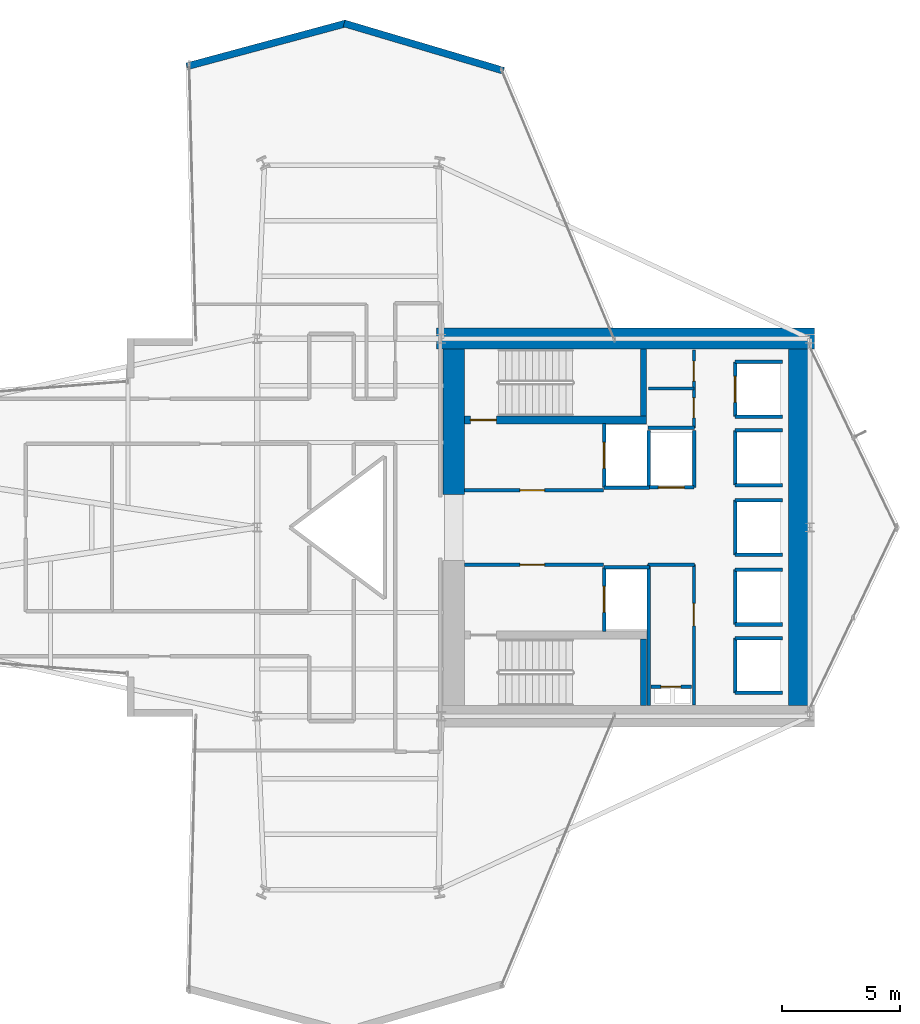
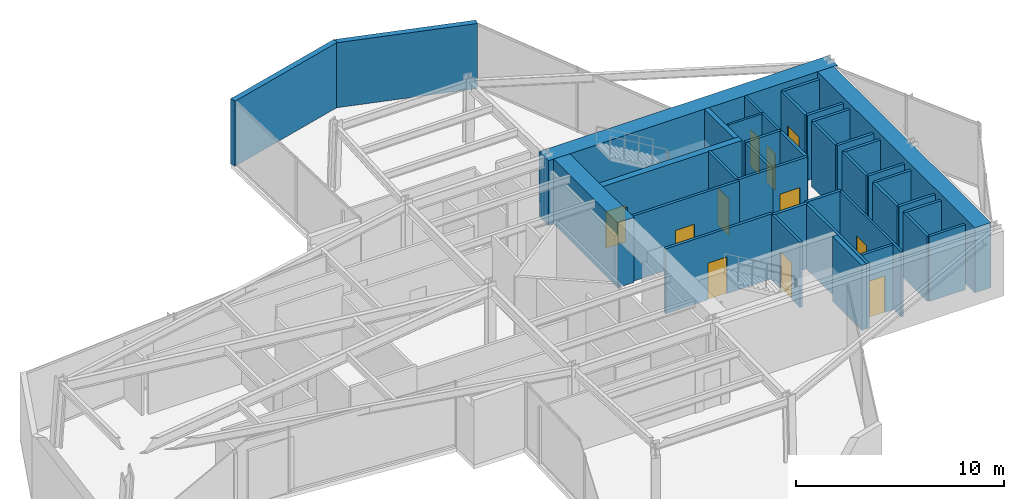
# One storey, part 23 of 25: 39 walls, 11 doors, 11 openings.
"""IFC4 building model written with IfcOpenShell, lengths in metres."""

from ifc_helpers import new_model, si_unit, direction, frame, frame_2d, origin, place, context, subcontext, project, spatial, rectangle, extrude, material, layer, layer_set, type_object, element, fill, save


model = new_model("IFC4")

# Units and contexts
model_context = context("Model", 3, precision=1e-05, world=origin(), true_north=direction((0.0, 1.0)))
body_context = subcontext(model_context, "Body", "Model", "MODEL_VIEW")
ifc_project = project(units=[si_unit("LENGTHUNIT", "METRE"), si_unit("AREAUNIT", "SQUARE_METRE"), si_unit("VOLUMEUNIT", "CUBIC_METRE"), si_unit("PLANEANGLEUNIT", "RADIAN"), si_unit("MASSUNIT", "GRAM", prefix="KILO")], contexts=[model_context])

# Site, building, storey
site_placement = place(None, origin())
site = spatial("IfcSite", under=ifc_project, at=site_placement, CompositionType="ELEMENT")
building_placement = place(site_placement, origin())
building = spatial("IfcBuilding", under=site, at=building_placement, Name="Veymaron Broadcast Tower", CompositionType="ELEMENT")
storey_placement = place(building_placement, frame((0.0, 0.0, 82.35009765625)))
storey = spatial("IfcBuildingStorey", under=building, at=storey_placement, Name="L18", CompositionType="ELEMENT", Elevation=82.35009765625)

# Walls
ifc_material_1 = material(Name="Precast concrete C40/50 with mineral-wool insulation", Category="concrete")
ifc_layer_1 = layer(ifc_material_1, 0.300048828125)
ifc_layer_set_1 = layer_set([ifc_layer_1], Name="Precast concrete C40/50 with mineral-wool insulation")
wall_type_1 = type_object("IfcWallType", Name="WALL-EXT-300", PredefinedType="STANDARD", material=ifc_layer_set_1)
wall_1_placement = place(storey_placement, frame((41.628173828125, 43.349853515625, 0.0), z_axis=(0.0, 0.0, 1.0), x_axis=(-0.958632659024, 0.284646140064, 0.0)))
element("IfcWall", 1, at=wall_1_placement, inside=storey, type_object=wall_type_1, Name="L18 notched corner facade pier 6-1", PredefinedType="STANDARD", context=body_context, shape_type="SweptSolid", body=[
    extrude(rectangle(XDim=7.033203125, YDim=0.300048828125, at=frame_2d((3.5166015625, 0.0))), origin(), (0.0, 0.0, 1.0), 3.809814453125),
])
wall_2_placement = place(storey_placement, frame((34.96240234375, 45.350830078125, 0.0), z_axis=(0.0, 0.0, 1.0), x_axis=(-0.965438319853, -0.260631637679, 0.0)))
element("IfcWall", 2, at=wall_2_placement, inside=storey, type_object=wall_type_1, Name="L18 notched corner facade pier 7-1", PredefinedType="STANDARD", context=body_context, shape_type="SweptSolid", body=[
    extrude(rectangle(XDim=6.9833984375, YDim=0.300048828125, at=frame_2d((3.49169921875, 0.0))), origin(), (0.0, 0.0, 1.0), 3.809814453125),
])

# Wall, opening, door
ifc_material_2 = material(Name="Gypsum fireboard and steel stud framing", Category="steel")
ifc_layer_2 = layer(ifc_material_2, 0.14990234375)
ifc_layer_set_2 = layer_set([ifc_layer_2], Name="Gypsum fireboard and steel stud framing")
wall_type_2 = type_object("IfcWallType", Name="WALL-FIRE-150", PredefinedType="PARTITIONING", material=ifc_layer_set_2)
wall_3_placement = place(storey_placement, frame((39.97998046875, 25.574951171875, 0.0), z_axis=(0.0, 0.0, 1.0), x_axis=(1.0, 0.0, 0.0)))
wall_3 = element("IfcWall", 3, at=wall_3_placement, inside=storey, type_object=wall_type_2, Name="L18 partition IW-L18-FFLN-S", PredefinedType="PARTITIONING", context=body_context, shape_type="SweptSolid", body=[
    extrude(rectangle(XDim=5.89990234375, YDim=0.14990234375, at=frame_2d((2.949951171875, 0.0))), origin(), (0.0, 0.0, 1.0), 3.809814453125),
])
opening_1_placement = place(wall_3_placement, frame((2.35009765625, 0.0, 0.0)))
opening_1 = element("IfcOpeningElement", 4, at=opening_1_placement, cuts=wall_3, Name="Opening ID-FL1", PredefinedType="OPENING", context=body_context, shape_type="SweptSolid", body=[
    extrude(rectangle(XDim=1.050048828125, YDim=2.14990234375, at=frame_2d((0.52490234375, 1.074951171875))), frame((0.0, 0.0849609375, 0.0), z_axis=(0.0, -1.0, 0.0), x_axis=(1.0, 0.0, 0.0)), (0.0, 0.0, 1.0), 0.169921875),
])
ifc_material_3 = material(Name="Fire-rated painted hollow steel ASTM A653", Category="steel")
door_type_1 = type_object("IfcDoorType", Name="DOOR-FIRE-1050", OperationType="NOTDEFINED", PredefinedType="DOOR", material=ifc_material_3)
door_1_placement = place(opening_1_placement, origin())
door_1 = element("IfcDoor", 5, at=door_1_placement, inside=storey, type_object=door_type_1, Name="L18 door DR-L18-FFLN", OperationType="SINGLE_SWING_LEFT", OverallHeight=2.14990234375, OverallWidth=1.050048828125, PredefinedType="DOOR", context=body_context, shape_type="SweptSolid", body=[
    extrude(rectangle(XDim=1.050048828125, YDim=2.14990234375, at=frame_2d((0.52490234375, 1.074951171875))), frame((0.0, 0.02490234375, 0.0), z_axis=(0.0, -1.0, 0.0), x_axis=(1.0, 0.0, 0.0)), (0.0, 0.0, 1.0), 0.050048828125),
])
fill(opening_1, door_1)

wall_4_placement = place(storey_placement, frame((39.97998046875, 22.425048828125, 0.0), z_axis=(0.0, 0.0, 1.0), x_axis=(1.0, 0.0, 0.0)))
wall_4 = element("IfcWall", 6, at=wall_4_placement, inside=storey, type_object=wall_type_2, Name="L18 partition IW-L18-FFLS-N", PredefinedType="PARTITIONING", context=body_context, shape_type="SweptSolid", body=[
    extrude(rectangle(XDim=5.89990234375, YDim=0.14990234375, at=frame_2d((2.949951171875, 0.0))), origin(), (0.0, 0.0, 1.0), 3.809814453125),
])
opening_2_placement = place(wall_4_placement, frame((2.35009765625, 0.0, 0.0)))
opening_2 = element("IfcOpeningElement", 7, at=opening_2_placement, cuts=wall_4, Name="Opening ID-FL1", PredefinedType="OPENING", context=body_context, shape_type="SweptSolid", body=[
    extrude(rectangle(XDim=1.050048828125, YDim=2.14990234375, at=frame_2d((0.52490234375, 1.074951171875))), frame((0.0, 0.0849609375, 0.0), z_axis=(0.0, -1.0, 0.0), x_axis=(1.0, 0.0, 0.0)), (0.0, 0.0, 1.0), 0.169921875),
])
door_2_placement = place(opening_2_placement, frame((1.050048828125, 0.0, 0.0), z_axis=(0.0, 0.0, 1.0), x_axis=(-1.0, 0.0, 0.0)))
door_2 = element("IfcDoor", 8, at=door_2_placement, inside=storey, type_object=door_type_1, Name="L18 door DR-L18-FFLS", OperationType="SINGLE_SWING_RIGHT", OverallHeight=2.14990234375, OverallWidth=1.050048828125, PredefinedType="DOOR", context=body_context, shape_type="SweptSolid", body=[
    extrude(rectangle(XDim=1.050048828125, YDim=2.14990234375, at=frame_2d((0.52490234375, 1.074951171875))), frame((0.0, 0.02490234375, 0.0), z_axis=(0.0, -1.0, 0.0), x_axis=(1.0, 0.0, 0.0)), (0.0, 0.0, 1.0), 0.050048828125),
])
fill(opening_2, door_2)

wall_5_placement = place(storey_placement, frame((45.89501953125, 25.68994140625, 0.0), z_axis=(0.0, 0.0, 1.0), x_axis=(0.0, 1.0, 0.0)))
wall_5 = element("IfcWall", 9, at=wall_5_placement, inside=storey, type_object=wall_type_2, Name="L18 partition IW-L18-SHW-FFL-1", PredefinedType="PARTITIONING", context=body_context, shape_type="SweptSolid", body=[
    extrude(rectangle(XDim=2.719970703125, YDim=0.14990234375, at=frame_2d((1.35986328125, 0.0))), origin(), (0.0, 0.0, 1.0), 3.809814453125),
])
opening_3_placement = place(wall_5_placement, frame((0.81005859375, 0.0, 0.0)))
opening_3 = element("IfcOpeningElement", 10, at=opening_3_placement, cuts=wall_5, Name="Opening LD", PredefinedType="OPENING", context=body_context, shape_type="SweptSolid", body=[
    extrude(rectangle(XDim=1.10009765625, YDim=2.14990234375, at=frame_2d((0.550048828125, 1.074951171875))), frame((0.0, 0.0849609375, 0.0), z_axis=(0.0, -1.0, 0.0), x_axis=(1.0, 0.0, 0.0)), (0.0, 0.0, 1.0), 0.169921875),
])
ifc_material_4 = material(Name="Brushed stainless steel AISI 304", Category="steel")
door_type_2 = type_object("IfcDoorType", Name="DOOR-LIFT-1100", OperationType="DOUBLE_DOOR_SLIDING", PredefinedType="DOOR", material=ifc_material_4)
door_3_placement = place(opening_3_placement, frame((1.10009765625, 0.0, 0.0), z_axis=(0.0, 0.0, 1.0), x_axis=(-1.0, 0.0, 0.0)))
door_3 = element("IfcDoor", 11, at=door_3_placement, inside=storey, type_object=door_type_2, Name="L18 door LD-L18-FFL-1", OperationType="DOUBLE_DOOR_SLIDING", OverallHeight=2.14990234375, OverallWidth=1.10009765625, PredefinedType="DOOR", context=body_context, shape_type="SweptSolid", body=[
    extrude(rectangle(XDim=1.10009765625, YDim=2.14990234375, at=frame_2d((0.550048828125, 1.074951171875))), frame((0.0, 0.02490234375, 0.0), z_axis=(0.0, -1.0, 0.0), x_axis=(1.0, 0.0, 0.0)), (0.0, 0.0, 1.0), 0.050048828125),
])
fill(opening_3, door_3)

# Wall
wall_6_placement = place(storey_placement, frame((45.89501953125, 25.68994140625, 0.0), z_axis=(0.0, 0.0, 1.0), x_axis=(1.0, 0.0, 0.0)))
element("IfcWall", 12, at=wall_6_placement, inside=storey, type_object=wall_type_2, Name="L18 partition IW-L18-SHS-FFL-1", PredefinedType="PARTITIONING", context=body_context, shape_type="SweptSolid", body=[
    extrude(rectangle(XDim=1.9150390625, YDim=0.14990234375, at=frame_2d((0.95751953125, 0.0))), origin(), (0.0, 0.0, 1.0), 3.809814453125),
])

# Wall, opening, door
wall_7_placement = place(storey_placement, frame((45.89501953125, 19.590087890625, 0.0), z_axis=(0.0, 0.0, 1.0), x_axis=(0.0, 1.0, 0.0)))
wall_7 = element("IfcWall", 13, at=wall_7_placement, inside=storey, type_object=wall_type_2, Name="L18 partition IW-L18-SHW-FFL-2", PredefinedType="PARTITIONING", context=body_context, shape_type="SweptSolid", body=[
    extrude(rectangle(XDim=2.719970703125, YDim=0.14990234375, at=frame_2d((1.35986328125, 0.0))), origin(), (0.0, 0.0, 1.0), 3.809814453125),
])
opening_4_placement = place(wall_7_placement, frame((0.81005859375, 0.0, 0.0)))
opening_4 = element("IfcOpeningElement", 14, at=opening_4_placement, cuts=wall_7, Name="Opening LD", PredefinedType="OPENING", context=body_context, shape_type="SweptSolid", body=[
    extrude(rectangle(XDim=1.10009765625, YDim=2.14990234375, at=frame_2d((0.550048828125, 1.074951171875))), frame((0.0, 0.0849609375, 0.0), z_axis=(0.0, -1.0, 0.0), x_axis=(1.0, 0.0, 0.0)), (0.0, 0.0, 1.0), 0.169921875),
])
door_4_placement = place(opening_4_placement, frame((1.10009765625, 0.0, 0.0), z_axis=(0.0, 0.0, 1.0), x_axis=(-1.0, 0.0, 0.0)))
door_4 = element("IfcDoor", 15, at=door_4_placement, inside=storey, type_object=door_type_2, Name="L18 door LD-L18-FFL-2", OperationType="DOUBLE_DOOR_SLIDING", OverallHeight=2.14990234375, OverallWidth=1.10009765625, PredefinedType="DOOR", context=body_context, shape_type="SweptSolid", body=[
    extrude(rectangle(XDim=1.10009765625, YDim=2.14990234375, at=frame_2d((0.550048828125, 1.074951171875))), frame((0.0, 0.02490234375, 0.0), z_axis=(0.0, -1.0, 0.0), x_axis=(1.0, 0.0, 0.0)), (0.0, 0.0, 1.0), 0.050048828125),
])
fill(opening_4, door_4)

# Wall
wall_8_placement = place(storey_placement, frame((45.89501953125, 22.31005859375, 0.0), z_axis=(0.0, 0.0, 1.0), x_axis=(1.0, 0.0, 0.0)))
element("IfcWall", 16, at=wall_8_placement, inside=storey, type_object=wall_type_2, Name="L18 partition IW-L18-SHN-FFL-2", PredefinedType="PARTITIONING", context=body_context, shape_type="SweptSolid", body=[
    extrude(rectangle(XDim=1.9150390625, YDim=0.14990234375, at=frame_2d((0.95751953125, 0.0))), origin(), (0.0, 0.0, 1.0), 3.809814453125),
])

# Wall, opening, door
wall_9_placement = place(storey_placement, frame((47.7900390625, 25.695068359375, 0.0), z_axis=(0.0, 0.0, 1.0), x_axis=(1.0, 0.0, 0.0)))
wall_9 = element("IfcWall", 17, at=wall_9_placement, inside=storey, type_object=wall_type_2, Name="L18 partition IW-L18-SHS-SL-1", PredefinedType="PARTITIONING", context=body_context, shape_type="SweptSolid", body=[
    extrude(rectangle(XDim=1.919921875, YDim=0.14990234375, at=frame_2d((0.9599609375, 0.0))), origin(), (0.0, 0.0, 1.0), 3.809814453125),
])
opening_5_placement = place(wall_9_placement, frame((0.409912109375, 0.0, 0.0)))
opening_5 = element("IfcOpeningElement", 18, at=opening_5_placement, cuts=wall_9, Name="Opening LD", PredefinedType="OPENING", context=body_context, shape_type="SweptSolid", body=[
    extrude(rectangle(XDim=1.10009765625, YDim=2.14990234375, at=frame_2d((0.550048828125, 1.074951171875))), frame((0.0, 0.0849609375, 0.0), z_axis=(0.0, -1.0, 0.0), x_axis=(1.0, 0.0, 0.0)), (0.0, 0.0, 1.0), 0.169921875),
])
door_5_placement = place(opening_5_placement, frame((1.10009765625, 0.0, 0.0), z_axis=(0.0, 0.0, 1.0), x_axis=(-1.0, 0.0, 0.0)))
door_5 = element("IfcDoor", 19, at=door_5_placement, inside=storey, type_object=door_type_2, Name="L18 door LD-L18-SL-1", OperationType="DOUBLE_DOOR_SLIDING", OverallHeight=2.14990234375, OverallWidth=1.10009765625, PredefinedType="DOOR", context=body_context, shape_type="SweptSolid", body=[
    extrude(rectangle(XDim=1.10009765625, YDim=2.14990234375, at=frame_2d((0.550048828125, 1.074951171875))), frame((0.0, 0.02490234375, 0.0), z_axis=(0.0, -1.0, 0.0), x_axis=(1.0, 0.0, 0.0)), (0.0, 0.0, 1.0), 0.050048828125),
])
fill(opening_5, door_5)

# Walls
for number, where, z_axis, x_axis, name in (
    (20, (47.7900390625, 25.695068359375, 0.0), (0.0, 0.0, 1.0), (0.0, 1.0, 0.0), "L18 partition IW-L18-SHW-SL-1"),
    (21, (49.7099609375, 25.695068359375, 0.0), (0.0, 0.0, 1.0), (0.0, 1.0, 0.0), "L18 partition IW-L18-SHE-SL-1"),
):
    element("IfcWall", number, at=place(storey_placement, frame(where, z_axis=z_axis, x_axis=x_axis)), inside=storey, type_object=wall_type_2, Name=name, PredefinedType="PARTITIONING", context=body_context, shape_type="SweptSolid", body=[
        extrude(rectangle(XDim=2.4150390625, YDim=0.14990234375, at=frame_2d((1.20751953125, 0.0))), origin(), (0.0, 0.0, 1.0), 3.809814453125),
    ])

# Wall, opening, door
wall_10_placement = place(storey_placement, frame((51.445068359375, 28.68994140625, 0.0), z_axis=(0.0, 0.0, 1.0), x_axis=(0.0, 1.0, 0.0)))
wall_10 = element("IfcWall", 22, at=wall_10_placement, inside=storey, type_object=wall_type_2, Name="L18 partition IW-L18-SHW-PL1", PredefinedType="PARTITIONING", context=body_context, shape_type="SweptSolid", body=[
    extrude(rectangle(XDim=2.320068359375, YDim=0.14990234375, at=frame_2d((1.16015625, 0.0))), origin(), (0.0, 0.0, 1.0), 3.809814453125),
])
opening_6_placement = place(wall_10_placement, frame((0.610107421875, 0.0, 0.0)))
opening_6 = element("IfcOpeningElement", 23, at=opening_6_placement, cuts=wall_10, Name="Opening LD", PredefinedType="OPENING", context=body_context, shape_type="SweptSolid", body=[
    extrude(rectangle(XDim=1.10009765625, YDim=2.14990234375, at=frame_2d((0.550048828125, 1.074951171875))), frame((0.0, 0.0849609375, 0.0), z_axis=(0.0, -1.0, 0.0), x_axis=(1.0, 0.0, 0.0)), (0.0, 0.0, 1.0), 0.169921875),
])
door_6_placement = place(opening_6_placement, frame((1.10009765625, 0.0, 0.0), z_axis=(0.0, 0.0, 1.0), x_axis=(-1.0, 0.0, 0.0)))
door_6 = element("IfcDoor", 24, at=door_6_placement, inside=storey, type_object=door_type_2, Name="L18 door LD-L18-PL1", OperationType="DOUBLE_DOOR_SLIDING", OverallHeight=2.14990234375, OverallWidth=1.10009765625, PredefinedType="DOOR", context=body_context, shape_type="SweptSolid", body=[
    extrude(rectangle(XDim=1.10009765625, YDim=2.14990234375, at=frame_2d((0.550048828125, 1.074951171875))), frame((0.0, 0.02490234375, 0.0), z_axis=(0.0, -1.0, 0.0), x_axis=(1.0, 0.0, 0.0)), (0.0, 0.0, 1.0), 0.050048828125),
])
fill(opening_6, door_6)

# Walls
for number, where, z_axis, x_axis, name in (
    (25, (51.445068359375, 28.68994140625, 0.0), (0.0, 0.0, 1.0), (1.0, 0.0, 0.0), "L18 partition IW-L18-SHS-PL1"),
    (26, (51.445068359375, 31.010009765625, 0.0), (0.0, 0.0, 1.0), (1.0, 0.0, 0.0), "L18 partition IW-L18-SHN-PL1"),
):
    element("IfcWall", number, at=place(storey_placement, frame(where, z_axis=z_axis, x_axis=x_axis)), inside=storey, type_object=wall_type_2, Name=name, PredefinedType="PARTITIONING", context=body_context, shape_type="SweptSolid", body=[
        extrude(rectangle(XDim=2.014892578125, YDim=0.14990234375, at=frame_2d((1.00732421875, 0.0))), origin(), (0.0, 0.0, 1.0), 3.809814453125),
    ])
wall_11_placement = place(storey_placement, frame((51.445068359375, 25.7900390625, 0.0), z_axis=(0.0, 0.0, 1.0), x_axis=(0.0, 1.0, 0.0)))
element("IfcWall", 27, at=wall_11_placement, inside=storey, type_object=wall_type_2, Name="L18 partition IW-L18-SHW-PM1", PredefinedType="PARTITIONING", context=body_context, shape_type="SweptSolid", body=[
    extrude(rectangle(XDim=2.320068359375, YDim=0.14990234375, at=frame_2d((1.16015625, 0.0))), origin(), (0.0, 0.0, 1.0), 3.809814453125),
])
for number, where, z_axis, x_axis, name in (
    (28, (51.445068359375, 25.7900390625, 0.0), (0.0, 0.0, 1.0), (1.0, 0.0, 0.0), "L18 partition IW-L18-SHS-PM1"),
    (29, (51.445068359375, 28.110107421875, 0.0), (0.0, 0.0, 1.0), (1.0, 0.0, 0.0), "L18 partition IW-L18-SHN-PM1"),
):
    element("IfcWall", number, at=place(storey_placement, frame(where, z_axis=z_axis, x_axis=x_axis)), inside=storey, type_object=wall_type_2, Name=name, PredefinedType="PARTITIONING", context=body_context, shape_type="SweptSolid", body=[
        extrude(rectangle(XDim=2.014892578125, YDim=0.14990234375, at=frame_2d((1.00732421875, 0.0))), origin(), (0.0, 0.0, 1.0), 3.809814453125),
    ])
wall_12_placement = place(storey_placement, frame((51.445068359375, 19.889892578125, 0.0), z_axis=(0.0, 0.0, 1.0), x_axis=(0.0, 1.0, 0.0)))
element("IfcWall", 30, at=wall_12_placement, inside=storey, type_object=wall_type_2, Name="L18 partition IW-L18-SHW-PM2", PredefinedType="PARTITIONING", context=body_context, shape_type="SweptSolid", body=[
    extrude(rectangle(XDim=2.320068359375, YDim=0.14990234375, at=frame_2d((1.16015625, 0.0))), origin(), (0.0, 0.0, 1.0), 3.809814453125),
])
for number, where, z_axis, x_axis, name in (
    (31, (51.445068359375, 19.889892578125, 0.0), (0.0, 0.0, 1.0), (1.0, 0.0, 0.0), "L18 partition IW-L18-SHS-PM2"),
    (32, (51.445068359375, 22.2099609375, 0.0), (0.0, 0.0, 1.0), (1.0, 0.0, 0.0), "L18 partition IW-L18-SHN-PM2"),
):
    element("IfcWall", number, at=place(storey_placement, frame(where, z_axis=z_axis, x_axis=x_axis)), inside=storey, type_object=wall_type_2, Name=name, PredefinedType="PARTITIONING", context=body_context, shape_type="SweptSolid", body=[
        extrude(rectangle(XDim=2.014892578125, YDim=0.14990234375, at=frame_2d((1.00732421875, 0.0))), origin(), (0.0, 0.0, 1.0), 3.809814453125),
    ])
wall_13_placement = place(storey_placement, frame((51.445068359375, 22.840087890625, 0.0), z_axis=(0.0, 0.0, 1.0), x_axis=(0.0, 1.0, 0.0)))
element("IfcWall", 33, at=wall_13_placement, inside=storey, type_object=wall_type_2, Name="L18 partition IW-L18-SHW-PM3", PredefinedType="PARTITIONING", context=body_context, shape_type="SweptSolid", body=[
    extrude(rectangle(XDim=2.31982421875, YDim=0.14990234375, at=frame_2d((1.159912109375, 0.0))), origin(), (0.0, 0.0, 1.0), 3.809814453125),
])
for number, where, z_axis, x_axis, name in (
    (34, (51.445068359375, 22.840087890625, 0.0), (0.0, 0.0, 1.0), (1.0, 0.0, 0.0), "L18 partition IW-L18-SHS-PM3"),
    (35, (51.445068359375, 25.159912109375, 0.0), (0.0, 0.0, 1.0), (1.0, 0.0, 0.0), "L18 partition IW-L18-SHN-PM3"),
):
    element("IfcWall", number, at=place(storey_placement, frame(where, z_axis=z_axis, x_axis=x_axis)), inside=storey, type_object=wall_type_2, Name=name, PredefinedType="PARTITIONING", context=body_context, shape_type="SweptSolid", body=[
        extrude(rectangle(XDim=2.014892578125, YDim=0.14990234375, at=frame_2d((1.00732421875, 0.0))), origin(), (0.0, 0.0, 1.0), 3.809814453125),
    ])
wall_14_placement = place(storey_placement, frame((51.445068359375, 16.989990234375, 0.0), z_axis=(0.0, 0.0, 1.0), x_axis=(0.0, 1.0, 0.0)))
element("IfcWall", 36, at=wall_14_placement, inside=storey, type_object=wall_type_2, Name="L18 partition IW-L18-SHW-PH1", PredefinedType="PARTITIONING", context=body_context, shape_type="SweptSolid", body=[
    extrude(rectangle(XDim=2.320068359375, YDim=0.14990234375, at=frame_2d((1.16015625, 0.0))), origin(), (0.0, 0.0, 1.0), 3.809814453125),
])
for number, where, z_axis, x_axis, name in (
    (37, (51.445068359375, 16.989990234375, 0.0), (0.0, 0.0, 1.0), (1.0, 0.0, 0.0), "L18 partition IW-L18-SHS-PH1"),
    (38, (51.445068359375, 19.31005859375, 0.0), (0.0, 0.0, 1.0), (1.0, 0.0, 0.0), "L18 partition IW-L18-SHN-PH1"),
):
    element("IfcWall", number, at=place(storey_placement, frame(where, z_axis=z_axis, x_axis=x_axis)), inside=storey, type_object=wall_type_2, Name=name, PredefinedType="PARTITIONING", context=body_context, shape_type="SweptSolid", body=[
        extrude(rectangle(XDim=2.014892578125, YDim=0.14990234375, at=frame_2d((1.00732421875, 0.0))), origin(), (0.0, 0.0, 1.0), 3.809814453125),
    ])

# Wall, opening, door
wall_15_placement = place(storey_placement, frame((47.8798828125, 17.260009765625, 0.0), z_axis=(0.0, 0.0, 1.0), x_axis=(1.0, 0.0, 0.0)))
wall_15 = element("IfcWall", 39, at=wall_15_placement, inside=storey, type_object=wall_type_2, Name="L18 partition IW-L18-RIS-N", PredefinedType="PARTITIONING", context=body_context, shape_type="SweptSolid", body=[
    extrude(rectangle(XDim=1.72021484375, YDim=0.14990234375, at=frame_2d((0.860107421875, 0.0))), origin(), (0.0, 0.0, 1.0), 3.809814453125),
])
opening_7_placement = place(wall_15_placement, frame((0.419921875, 0.0, 0.0)))
opening_7 = element("IfcOpeningElement", 40, at=opening_7_placement, cuts=wall_15, Name="Opening ID-RS1", PredefinedType="OPENING", context=body_context, shape_type="SweptSolid", body=[
    extrude(rectangle(XDim=0.85009765625, YDim=2.14990234375, at=frame_2d((0.425048828125, 1.074951171875))), frame((0.0, 0.0849609375, 0.0), z_axis=(0.0, -1.0, 0.0), x_axis=(1.0, 0.0, 0.0)), (0.0, 0.0, 1.0), 0.169921875),
])
ifc_material_5 = material(Name="Fire-rated powder-coated steel riser leaf", Category="steel")
door_type_3 = type_object("IfcDoorType", Name="DOOR-RIS-850", OperationType="NOTDEFINED", PredefinedType="TRAPDOOR", material=ifc_material_5)
door_7_placement = place(opening_7_placement, origin())
door_7 = element("IfcDoor", 41, at=door_7_placement, inside=storey, type_object=door_type_3, Name="L18 door DR-L18-RIS", OperationType="SINGLE_SWING_LEFT", OverallHeight=2.14990234375, OverallWidth=0.85009765625, PredefinedType="TRAPDOOR", context=body_context, shape_type="SweptSolid", body=[
    extrude(rectangle(XDim=0.85009765625, YDim=2.14990234375, at=frame_2d((0.425048828125, 1.074951171875))), frame((0.0, 0.02490234375, 0.0), z_axis=(0.0, -1.0, 0.0), x_axis=(1.0, 0.0, 0.0)), (0.0, 0.0, 1.0), 0.050048828125),
])
fill(opening_7, door_7)

# Walls
wall_16_placement = place(storey_placement, frame((47.760009765625, 22.425048828125, 0.0), z_axis=(0.0, 0.0, 1.0), x_axis=(1.0, 0.0, 0.0)))
element("IfcWall", 42, at=wall_16_placement, inside=storey, type_object=wall_type_2, Name="L18 partition IW-L18-SM-N", PredefinedType="PARTITIONING", context=body_context, shape_type="SweptSolid", body=[
    extrude(rectangle(XDim=1.9599609375, YDim=0.14990234375, at=frame_2d((0.97998046875, 0.0))), origin(), (0.0, 0.0, 1.0), 3.809814453125),
])
wall_17_placement = place(storey_placement, frame((47.780029296875, 16.449951171875, 0.0), z_axis=(0.0, 0.0, 1.0), x_axis=(0.0, 1.0, 0.0)))
element("IfcWall", 43, at=wall_17_placement, inside=storey, type_object=wall_type_2, Name="L18 partition IW-L18-SM-W", PredefinedType="PARTITIONING", context=body_context, shape_type="SweptSolid", body=[
    extrude(rectangle(XDim=5.97509765625, YDim=0.14990234375, at=frame_2d((2.987548828125, 0.0))), origin(), (0.0, 0.0, 1.0), 3.809814453125),
])
wall_18_placement = place(storey_placement, frame((47.760009765625, 28.219970703125, 0.0), z_axis=(0.0, 0.0, 1.0), x_axis=(1.0, 0.0, 0.0)))
element("IfcWall", 44, at=wall_18_placement, inside=storey, type_object=wall_type_2, Name="L18 partition IW-L18-NM-S", PredefinedType="PARTITIONING", context=body_context, shape_type="SweptSolid", body=[
    extrude(rectangle(XDim=1.9599609375, YDim=0.14990234375, at=frame_2d((0.97998046875, 0.0))), origin(), (0.0, 0.0, 1.0), 3.809814453125),
])

# Wall, opening, door
ifc_material_6 = material(Name="Acoustic gypsum board and galvanized stud", Category="gypsum")
ifc_layer_3 = layer(ifc_material_6, 0.1201171875)
ifc_layer_set_3 = layer_set([ifc_layer_3], Name="Acoustic gypsum board and galvanized stud")
wall_type_3 = type_object("IfcWallType", Name="WALL-PART-120", PredefinedType="PARTITIONING", material=ifc_layer_set_3)
wall_19_placement = place(storey_placement, frame((49.699951171875, 16.47998046875, 0.0), z_axis=(0.0, 0.0, 1.0), x_axis=(0.0, 1.0, 0.0)))
wall_19 = element("IfcWall", 45, at=wall_19_placement, inside=storey, type_object=wall_type_3, Name="L18 partition IW-L18-SM-E", PredefinedType="PARTITIONING", context=body_context, shape_type="SweptSolid", body=[
    extrude(rectangle(XDim=5.945068359375, YDim=0.1201171875, at=frame_2d((2.97265625, 0.0))), origin(), (0.0, 0.0, 1.0), 3.809814453125),
])
opening_8_placement = place(wall_19_placement, frame((3.35009765625, 0.0, 0.0)))
opening_8 = element("IfcOpeningElement", 46, at=opening_8_placement, cuts=wall_19, Name="Opening ID-RM1", PredefinedType="OPENING", context=body_context, shape_type="SweptSolid", body=[
    extrude(rectangle(XDim=0.949951171875, YDim=2.14990234375, at=frame_2d((0.47509765625, 1.074951171875))), frame((0.0, 0.070068359375, 0.0), z_axis=(0.0, -1.0, 0.0), x_axis=(1.0, 0.0, 0.0)), (0.0, 0.0, 1.0), 0.14013671875),
])
ifc_material_7 = material(Name="Acoustic solid-core European oak veneer timber", Category="wood")
door_type_4 = type_object("IfcDoorType", Name="DOOR-INT-950", OperationType="NOTDEFINED", PredefinedType="DOOR", material=ifc_material_7)
door_8_placement = place(opening_8_placement, frame((0.949951171875, 0.0, 0.0), z_axis=(0.0, 0.0, 1.0), x_axis=(-1.0, 0.0, 0.0)))
door_8 = element("IfcDoor", 47, at=door_8_placement, inside=storey, type_object=door_type_4, Name="L18 door DR-L18-AWC", OperationType="SINGLE_SWING_LEFT", OverallHeight=2.14990234375, OverallWidth=0.949951171875, PredefinedType="DOOR", context=body_context, shape_type="SweptSolid", body=[
    extrude(rectangle(XDim=0.949951171875, YDim=2.14990234375, at=frame_2d((0.47509765625, 1.074951171875))), frame((0.0, 0.02490234375, 0.0), z_axis=(0.0, -1.0, 0.0), x_axis=(1.0, 0.0, 0.0)), (0.0, 0.0, 1.0), 0.050048828125),
])
fill(opening_8, door_8)

# Wall
wall_20_placement = place(storey_placement, frame((47.780029296875, 29.8798828125, 0.0), z_axis=(0.0, 0.0, 1.0), x_axis=(1.0, 0.0, 0.0)))
element("IfcWall", 48, at=wall_20_placement, inside=storey, type_object=wall_type_3, Name="L18 partition IW-L18-NM-M", PredefinedType="PARTITIONING", context=body_context, shape_type="SweptSolid", body=[
    extrude(rectangle(XDim=1.919921875, YDim=0.1201171875, at=frame_2d((0.9599609375, 0.0))), origin(), (0.0, 0.0, 1.0), 3.809814453125),
])

# Wall, openings, doors
wall_21_placement = place(storey_placement, frame((49.699951171875, 28.219970703125, 0.0), z_axis=(0.0, 0.0, 1.0), x_axis=(0.0, 1.0, 0.0)))
wall_21 = element("IfcWall", 49, at=wall_21_placement, inside=storey, type_object=wall_type_3, Name="L18 partition IW-L18-NM-E", PredefinedType="PARTITIONING", context=body_context, shape_type="SweptSolid", body=[
    extrude(rectangle(XDim=3.300048828125, YDim=0.1201171875, at=frame_2d((1.64990234375, 0.0))), origin(), (0.0, 0.0, 1.0), 3.809814453125),
])
opening_9_placement = place(wall_21_placement, frame((0.419921875, 0.0, 0.0)))
opening_9 = element("IfcOpeningElement", 50, at=opening_9_placement, cuts=wall_21, Name="Opening ID-WC1", PredefinedType="OPENING", context=body_context, shape_type="SweptSolid", body=[
    extrude(rectangle(XDim=0.85009765625, YDim=2.14990234375, at=frame_2d((0.425048828125, 1.074951171875))), frame((0.0, 0.070068359375, 0.0), z_axis=(0.0, -1.0, 0.0), x_axis=(1.0, 0.0, 0.0)), (0.0, 0.0, 1.0), 0.14013671875),
])
opening_10_placement = place(wall_21_placement, frame((1.97998046875, 0.0, 0.0)))
opening_10 = element("IfcOpeningElement", 51, at=opening_10_placement, cuts=wall_21, Name="Opening ID-WC1", PredefinedType="OPENING", context=body_context, shape_type="SweptSolid", body=[
    extrude(rectangle(XDim=0.85009765625, YDim=2.14990234375, at=frame_2d((0.425048828125, 1.074951171875))), frame((0.0, 0.070068359375, 0.0), z_axis=(0.0, -1.0, 0.0), x_axis=(1.0, 0.0, 0.0)), (0.0, 0.0, 1.0), 0.14013671875),
])
ifc_material_8 = material(Name="Moisture-resistant high-pressure laminate timber", Category="wood")
door_type_5 = type_object("IfcDoorType", Name="DOOR-INT-850", OperationType="NOTDEFINED", PredefinedType="DOOR", material=ifc_material_8)
door_9_placement = place(opening_9_placement, frame((0.85009765625, 0.0, 0.0), z_axis=(0.0, 0.0, 1.0), x_axis=(-1.0, 0.0, 0.0)))
door_9 = element("IfcDoor", 52, at=door_9_placement, inside=storey, type_object=door_type_5, Name="L18 door DR-L18-NMA", OperationType="SINGLE_SWING_LEFT", OverallHeight=2.14990234375, OverallWidth=0.85009765625, PredefinedType="DOOR", context=body_context, shape_type="SweptSolid", body=[
    extrude(rectangle(XDim=0.85009765625, YDim=2.14990234375, at=frame_2d((0.425048828125, 1.074951171875))), frame((0.0, 0.02490234375, 0.0), z_axis=(0.0, -1.0, 0.0), x_axis=(1.0, 0.0, 0.0)), (0.0, 0.0, 1.0), 0.050048828125),
])
fill(opening_9, door_9)
door_10_placement = place(opening_10_placement, frame((0.85009765625, 0.0, 0.0), z_axis=(0.0, 0.0, 1.0), x_axis=(-1.0, 0.0, 0.0)))
door_10 = element("IfcDoor", 53, at=door_10_placement, inside=storey, type_object=door_type_5, Name="L18 door DR-L18-NMB", OperationType="SINGLE_SWING_RIGHT", OverallHeight=2.14990234375, OverallWidth=0.85009765625, PredefinedType="DOOR", context=body_context, shape_type="SweptSolid", body=[
    extrude(rectangle(XDim=0.85009765625, YDim=2.14990234375, at=frame_2d((0.425048828125, 1.074951171875))), frame((0.0, 0.02490234375, 0.0), z_axis=(0.0, -1.0, 0.0), x_axis=(1.0, 0.0, 0.0)), (0.0, 0.0, 1.0), 0.050048828125),
])
fill(opening_10, door_10)

# Walls
ifc_material_9 = material(Name="Concrete C50/60", Category="concrete")
ifc_layer_4 = layer(ifc_material_9, 0.25)
ifc_layer_set_4 = layer_set([ifc_layer_4], Name="Concrete C50/60")
wall_type_4 = type_object("IfcWallType", Name="WALL-SHEAR-250", PredefinedType="SHEAR", material=ifc_layer_set_4)
for number, where, z_axis, x_axis, name in (
    (54, (47.56494140625, 28.72998046875, 0.0), (0.0, 0.0, 1.0), (0.0, 1.0, 0.0), "L18 Core Wall north stair east shear"),
    (55, (47.56494140625, 16.449951171875, 0.0), (0.0, 0.0, 1.0), (0.0, 1.0, 0.0), "L18 Core Wall south stair east shear"),
):
    element("IfcWall", number, at=place(storey_placement, frame(where, z_axis=z_axis, x_axis=x_axis)), inside=storey, type_object=wall_type_4, Name=name, PredefinedType="SHEAR", context=body_context, shape_type="SweptSolid", body=[
        extrude(rectangle(XDim=2.820068359375, YDim=0.25, at=frame_2d((1.41015625, 0.0))), origin(), (0.0, 0.0, 1.0), 3.809814453125),
    ])

# Wall, opening, door
ifc_layer_5 = layer(ifc_material_9, 0.35009765625)
ifc_layer_set_5 = layer_set([ifc_layer_5], Name="Concrete C50/60")
wall_type_5 = type_object("IfcWallType", Name="WALL-SHEAR-350", PredefinedType="SHEAR", material=ifc_layer_set_5)
wall_22_placement = place(storey_placement, frame((39.97998046875, 28.554931640625, 0.0), z_axis=(0.0, 0.0, 1.0), x_axis=(1.0, 0.0, 0.0)))
wall_22 = element("IfcWall", 56, at=wall_22_placement, inside=storey, type_object=wall_type_5, Name="L18 Core Wall north stair spine", PredefinedType="SHEAR", context=body_context, shape_type="SweptSolid", body=[
    extrude(rectangle(XDim=7.7099609375, YDim=0.35009765625, at=frame_2d((3.85498046875, 0.0))), origin(), (0.0, 0.0, 1.0), 3.809814453125),
])
opening_11_placement = place(wall_22_placement, frame((0.25, 0.0, 0.0)))
opening_11 = element("IfcOpeningElement", 57, at=opening_11_placement, cuts=wall_22, Name="Opening ID-ST1", PredefinedType="OPENING", context=body_context, shape_type="SweptSolid", body=[
    extrude(rectangle(XDim=1.10009765625, YDim=2.14990234375, at=frame_2d((0.550048828125, 1.074951171875))), frame((0.0, 0.18505859375, 0.0), z_axis=(0.0, -1.0, 0.0), x_axis=(1.0, 0.0, 0.0)), (0.0, 0.0, 1.0), 0.3701171875),
])
door_type_6 = type_object("IfcDoorType", Name="DOOR-STAIR-1100", OperationType="NOTDEFINED", PredefinedType="DOOR", material=ifc_material_3)
door_11_placement = place(opening_11_placement, origin())
door_11 = element("IfcDoor", 58, at=door_11_placement, inside=storey, type_object=door_type_6, Name="L18 exit stair ST1 fire door", OperationType="SINGLE_SWING_LEFT", OverallHeight=2.14990234375, OverallWidth=1.10009765625, PredefinedType="DOOR", context=body_context, shape_type="SweptSolid", body=[
    extrude(rectangle(XDim=1.10009765625, YDim=2.14990234375, at=frame_2d((0.550048828125, 1.074951171875))), frame((0.0, 0.02490234375, 0.0), z_axis=(0.0, -1.0, 0.0), x_axis=(1.0, 0.0, 0.0)), (0.0, 0.0, 1.0), 0.050048828125),
])
fill(opening_11, door_11)

# Walls
ifc_material_10 = material(Name="Concrete C70/85", Category="concrete")
ifc_layer_6 = layer(ifc_material_10, 0.89990234375)
ifc_layer_set_6 = layer_set([ifc_layer_6], Name="Concrete C70/85")
wall_type_6 = type_object("IfcWallType", Name="WALL-SHEAR-900", PredefinedType="SHEAR", material=ifc_layer_set_6)
wall_23_placement = place(storey_placement, frame((38.800048828125, 32.0, 0.0), z_axis=(0.0, 0.0, 1.0), x_axis=(1.0, 0.0, 0.0)))
element("IfcWall", 59, at=wall_23_placement, inside=storey, type_object=wall_type_6, Name="L18 Core Wall north shear", PredefinedType="SHEAR", context=body_context, shape_type="SweptSolid", body=[
    extrude(rectangle(XDim=16.0, YDim=0.89990234375, at=frame_2d((8.0, 0.0))), origin(), (0.0, 0.0, 1.0), 3.809814453125),
])
wall_24_placement = place(storey_placement, frame((39.530029296875, 25.39990234375, 0.0), z_axis=(0.0, 0.0, 1.0), x_axis=(0.0, 1.0, 0.0)))
element("IfcWall", 60, at=wall_24_placement, inside=storey, type_object=wall_type_6, Name="L18 Core Wall west-north shear", PredefinedType="SHEAR", context=body_context, shape_type="SweptSolid", body=[
    extrude(rectangle(XDim=6.150146484375, YDim=0.89990234375, at=frame_2d((3.0751953125, 0.0))), origin(), (0.0, 0.0, 1.0), 3.809814453125),
])
wall_25_placement = place(storey_placement, frame((54.14990234375, 16.449951171875, 0.0), z_axis=(0.0, 0.0, 1.0), x_axis=(0.0, 1.0, 0.0)))
element("IfcWall", 61, at=wall_25_placement, inside=storey, type_object=wall_type_6, Name="L18 Core Wall east shear", PredefinedType="SHEAR", context=body_context, shape_type="SweptSolid", body=[
    extrude(rectangle(XDim=15.10009765625, YDim=0.89990234375, at=frame_2d((7.550048828125, 0.0))), origin(), (0.0, 0.0, 1.0), 3.809814453125),
])

save(model, "model.ifc")
